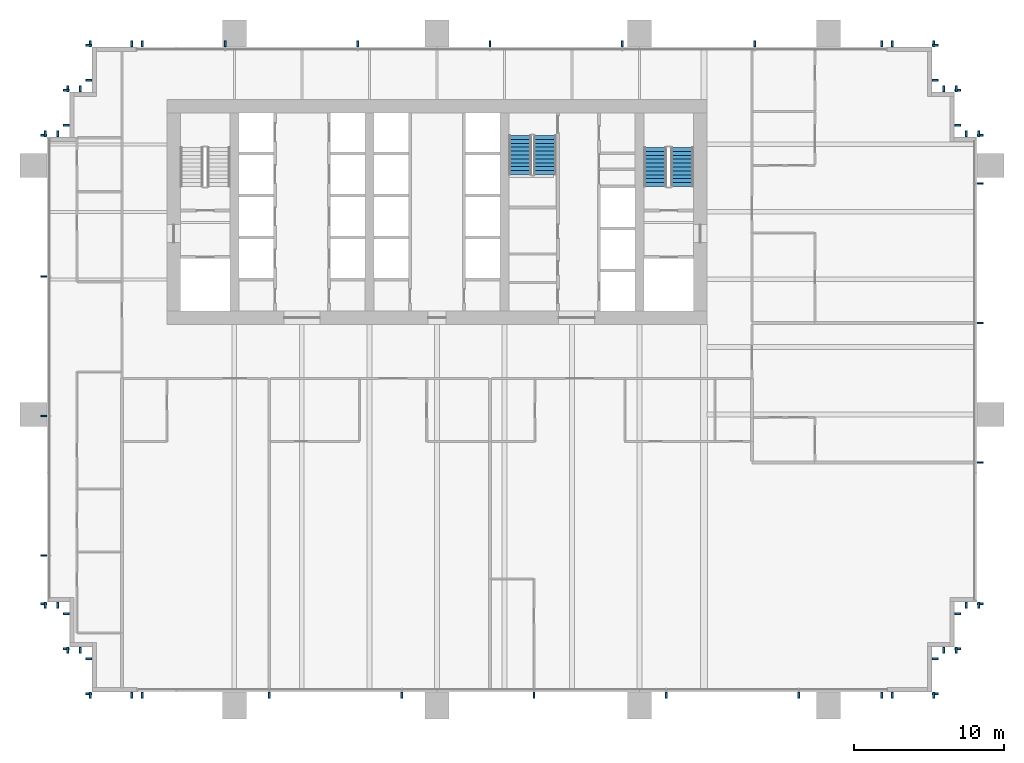
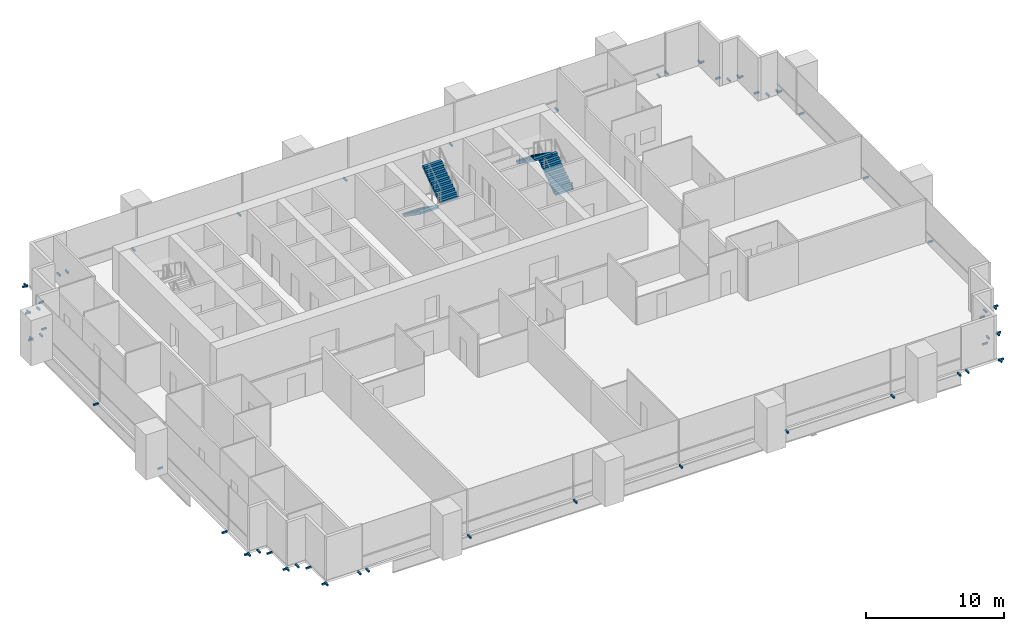
# One storey, part 16 of 17: 64 discrete accessories, 4 stair flights, 2 elements without a shape of their own.
"""IFC4 building model written with IfcOpenShell, lengths in metres."""

import ifcopenshell
import ifcopenshell.guid

model = None  # the IFC model being written
_history = None  # IfcOwnerHistory: only IFC2X3 demands one
_inside = {}  # id of a spatial element -> (the spatial element, [elements in it])
_under = {}  # id of a project, library or spatial element -> (it, [spatial elements below it])
_declared = {}  # id of a project -> (the project, [libraries it declares])
_typed = {}  # id of a type object -> (the type object, [elements of that type])
_made_of = {}  # id of a material, layer set ... -> (it, [elements and type objects made of it])


def new_model(schema):
    """Start an empty IFC model of exactly this schema.

    Asked for "IFC4X3", IfcOpenShell would pick the latest addendum, in which some entities
    have other attributes; the version numbers below select the first issue.
    IFC2X3 requires an IfcOwnerHistory on every rooted entity: one is made here for all.
    """
    global model, _history
    if schema == "IFC4X3":
        model = ifcopenshell.file(schema_version=(4, 3, 0, 0))
    else:
        model = ifcopenshell.file(schema=schema)
    _inside.clear()
    _under.clear()
    _declared.clear()
    _typed.clear()
    _made_of.clear()
    _history = None
    if model.schema == "IFC2X3":
        org = make("IfcOrganization", Name="unknown")
        user = make(
            "IfcPersonAndOrganization",
            ThePerson=make("IfcPerson", FamilyName="unknown"),
            TheOrganization=org,
        )
        app = make(
            "IfcApplication",
            ApplicationDeveloper=org,
            Version="unknown",
            ApplicationFullName="unknown",
            ApplicationIdentifier="unknown",
        )
        _history = make(
            "IfcOwnerHistory",
            OwningUser=user,
            OwningApplication=app,
            ChangeAction="ADDED",
            CreationDate=0,
        )
    return model


def make(cls, **values):
    """One entity of the class cls with the attributes given. An attribute that is None is left unset."""
    return model.create_entity(
        cls, **{name: value for name, value in values.items() if value is not None}
    )


def rooted(cls, **values):
    """An entity with a GlobalId (a new one), such as an element, a storey or a relation."""
    return make(cls, GlobalId=ifcopenshell.guid.new(), OwnerHistory=_history, **values)


def si_unit(unit_type, name, prefix=None):
    """IfcSIUnit, for example si_unit("LENGTHUNIT", "METRE", prefix="MILLI")."""
    return make("IfcSIUnit", UnitType=unit_type, Prefix=prefix, Name=name)


def assignment(units):
    """IfcUnitAssignment: the units of a project."""
    return None if units is None else make("IfcUnitAssignment", Units=units)


def point(xyz):
    """IfcCartesianPoint."""
    return None if xyz is None else make("IfcCartesianPoint", Coordinates=xyz)


def direction(xyz):
    """IfcDirection."""
    return None if xyz is None else make("IfcDirection", DirectionRatios=xyz)


def frame(location, z_axis=None, x_axis=None):
    """IfcAxis2Placement3D, a coordinate frame: its origin and axes. An axis left out is left unset."""
    return make(
        "IfcAxis2Placement3D",
        Location=point(location),
        Axis=direction(z_axis),
        RefDirection=direction(x_axis),
    )


def frame_2d(location, x_axis=None):
    """IfcAxis2Placement2D, a coordinate frame in the plane: its origin and x axis."""
    return make(
        "IfcAxis2Placement2D", Location=point(location), RefDirection=direction(x_axis)
    )


def origin():
    """The frame at (0, 0, 0) with its axes left unset."""
    return frame((0.0, 0.0, 0.0))


def origin_2d():
    """The frame at (0, 0) in the plane with its x axis left unset."""
    return frame_2d((0.0, 0.0))


def place(relative_to, where):
    """IfcLocalPlacement: puts the frame where relative to a parent placement (None: the world)."""
    return make(
        "IfcLocalPlacement", PlacementRelTo=relative_to, RelativePlacement=where
    )


def context(
    kind, dimensions, precision=None, world=None, true_north=None, identifier=None
):
    """IfcGeometricRepresentationContext, for example the 3D "Model" context."""
    return make(
        "IfcGeometricRepresentationContext",
        ContextIdentifier=identifier,
        ContextType=kind,
        CoordinateSpaceDimension=dimensions,
        Precision=precision,
        WorldCoordinateSystem=world,
        TrueNorth=true_north,
    )


def subcontext(parent, identifier, kind, view, scale=None):
    """IfcGeometricRepresentationSubContext, for example "Body" below "Model"."""
    return make(
        "IfcGeometricRepresentationSubContext",
        ContextIdentifier=identifier,
        ContextType=kind,
        ParentContext=parent,
        TargetScale=scale,
        TargetView=view,
    )


def project(units=None, contexts=None):
    """IfcProject with its units and contexts."""
    return rooted(
        "IfcProject",
        Name="project",
        RepresentationContexts=contexts,
        UnitsInContext=assignment(units),
    )


def spatial(cls, under=None, at=None, **own):
    """A site, building, storey or space (cls), placed at a placement, below another one or the project."""
    s = rooted(cls, ObjectPlacement=at, **own)
    if under is not None:
        _under.setdefault(under.id(), (under, []))[1].append(s)
    return s


def polyline(points):
    """IfcPolyline through the points."""
    return make("IfcPolyline", Points=[point(p) for p in points])


def profile(cls, at=None, kind="AREA", **sizes):
    """A parametric profile (cls). Its sizes go by their IFC names, for example OverallWidth=200.0."""
    return make(cls, ProfileType=kind, Position=at, **sizes)


def rectangle(**sizes):
    """IfcRectangleProfileDef."""
    return profile("IfcRectangleProfileDef", **sizes)


def outline(outer, holes=None, kind="AREA"):
    """IfcArbitraryClosedProfileDef: a profile drawn as a closed curve; with holes, ...WithVoids."""
    if holes is None:
        return make("IfcArbitraryClosedProfileDef", ProfileType=kind, OuterCurve=outer)
    return make(
        "IfcArbitraryProfileDefWithVoids",
        ProfileType=kind,
        OuterCurve=outer,
        InnerCurves=holes,
    )


def extrude(swept, where, along, depth):
    """IfcExtrudedAreaSolid: the profile swept, set in the frame where, extruded along a direction by depth."""
    return make(
        "IfcExtrudedAreaSolid",
        SweptArea=swept,
        Position=where,
        ExtrudedDirection=direction(along),
        Depth=depth,
    )


def shape(context_of_items, identifier, shape_type, items):
    """IfcShapeRepresentation: the items that make up one representation, for example the "Body"."""
    return make(
        "IfcShapeRepresentation",
        ContextOfItems=context_of_items,
        RepresentationIdentifier=identifier,
        RepresentationType=shape_type,
        Items=items,
    )


def material(Name=None, Category=None):
    """IfcMaterial."""
    return make("IfcMaterial", Name=Name, Category=Category)


def made_of(thing, what):
    """Note that an element or type object is made of a material, layer set ...; save() writes the relation."""
    if what is not None:
        _made_of.setdefault(what.id(), (what, []))[1].append(thing)
    return thing


def type_object(cls, material=None, **own):
    """A type object (cls), such as IfcWallType, which elements share."""
    return made_of(rooted(cls, **own), material)


def element(
    cls,
    number,
    at=None,
    inside=None,
    cuts=None,
    type_object=None,
    material=None,
    context=None,
    identifier="Body",
    shape_type=None,
    held_by="IfcProductDefinitionShape",
    body=None,
    shapes=None,
    **own,
):
    """One element of the class cls, such as IfcWall. Its Tag is "e" and its number.

    at: its placement. inside: the storey or other place that contains it. cuts: it is an
    opening in that element (IfcRelVoidsElement). A single representation is given by context,
    identifier, shape_type and body (its items); several are given by shapes. held_by: the class
    of the entity that holds the representations. save() writes the other relations.
    """
    e = rooted(cls, Tag="e%d" % number, ObjectPlacement=at, **own)
    if body is not None:
        shapes = [shape(context, identifier, shape_type, body)]
    if shapes is not None:
        e.Representation = make(held_by, Representations=shapes)
    if inside is not None:
        _inside.setdefault(inside.id(), (inside, []))[1].append(e)
    if cuts is not None:
        rooted(
            "IfcRelVoidsElement", RelatingBuildingElement=cuts, RelatedOpeningElement=e
        )
    if type_object is not None:
        _typed.setdefault(type_object.id(), (type_object, []))[1].append(e)
    return made_of(e, material)


def aggregate(whole, parts):
    """IfcRelAggregates: a whole, such as a stair, and the parts it consists of."""
    return rooted("IfcRelAggregates", RelatingObject=whole, RelatedObjects=parts)


def save(model, path):
    """Write the relations noted so far, then the file.

    IfcRelAggregates (storeys below a building ...), IfcRelContainedInSpatialStructure (elements
    in a storey), IfcRelDefinesByType, IfcRelAssociatesMaterial and IfcRelDeclares: one each for
    every whole, place, type object, material and project.
    """
    for whole, parts in _under.values():
        aggregate(whole, parts)
    for where, things in _inside.values():
        rooted(
            "IfcRelContainedInSpatialStructure",
            RelatedElements=things,
            RelatingStructure=where,
        )
    for kind, things in _typed.values():
        rooted("IfcRelDefinesByType", RelatedObjects=things, RelatingType=kind)
    for what, things in _made_of.values():
        rooted("IfcRelAssociatesMaterial", RelatedObjects=things, RelatingMaterial=what)
    for by, libraries in _declared.values():
        rooted("IfcRelDeclares", RelatingContext=by, RelatedDefinitions=libraries)
    model.write(path)


model = new_model("IFC4")

# Units and contexts
model_context = context("Model", 3, precision=1e-05, world=origin(), true_north=direction((0.0, 1.0)))
body_context = subcontext(model_context, "Body", "Model", "MODEL_VIEW")
ifc_project = project(units=[si_unit("LENGTHUNIT", "METRE"), si_unit("AREAUNIT", "SQUARE_METRE"), si_unit("VOLUMEUNIT", "CUBIC_METRE"), si_unit("PLANEANGLEUNIT", "RADIAN"), si_unit("MASSUNIT", "GRAM", prefix="KILO")], contexts=[model_context])

# Site, building, storey
site_placement = place(None, origin())
site = spatial("IfcSite", under=ifc_project, at=site_placement, CompositionType="ELEMENT")
building_placement = place(site_placement, origin())
building = spatial("IfcBuilding", under=site, at=building_placement, Name="Rattan Terrace Tower", CompositionType="ELEMENT")
storey_placement = place(building_placement, frame((0.0, 0.0, 83.699951171875)))
storey = spatial("IfcBuildingStorey", under=building, at=storey_placement, Name="L18", CompositionType="ELEMENT", Elevation=83.699951171875)

# Stair, stair flights
ifc_material_1 = material(Name="Concrete C40/50", Category="concrete")
stair_type = type_object("IfcStairType", Name="Core exit stair 1500", PredefinedType="HALF_TURN_STAIR", material=ifc_material_1)
stair_1_placement = place(storey_placement, origin())
stair_1 = element("IfcStair", 1, at=stair_1_placement, inside=storey, type_object=stair_type, Name="L18 exit stair 2", PredefinedType="HALF_TURN_STAIR")
ifc_material_2 = material(Name="Concrete C40/50", Category="concrete")
stair_flight_type = type_object("IfcStairFlightType", Name="Core exit stair flight 1500", PredefinedType="STRAIGHT", material=ifc_material_2)
stair_flight_1_placement = place(storey_placement, frame((16.35009765625, 1.699951171875, 0.0), z_axis=(0.0, 0.0, 1.0), x_axis=(0.0, 1.0, 0.0)))
stair_flight_1 = element("IfcStairFlight", 2, at=stair_flight_1_placement, type_object=stair_flight_type, Name="S2 flight 1", NumberOfRisers=11, NumberOfTreads=10, PredefinedType="STRAIGHT", RiserHeight=0.181818182, TreadLength=0.26, context=body_context, shape_type="SweptSolid", body=[
    extrude(outline(polyline([(0.0, 0.0), (0.0, 0.181884765625), (0.260009765625, 0.181884765625), (0.260009765625, 0.363525390625), (0.52001953125, 0.363525390625), (0.52001953125, 0.54541015625), (0.780029296875, 0.54541015625), (0.780029296875, 0.727294921875), (1.0400390625, 0.727294921875), (1.0400390625, 0.9091796875), (1.300048828125, 0.9091796875), (1.300048828125, 1.0908203125), (1.56005859375, 1.0908203125), (1.56005859375, 1.272705078125), (1.820068359375, 1.272705078125), (1.820068359375, 1.45458984375), (2.080078125, 1.45458984375), (2.080078125, 1.636474609375), (2.340087890625, 1.636474609375), (2.340087890625, 1.818115234375), (2.60009765625, 1.818115234375), (2.60009765625, 2.0), (2.60009765625, 1.63525390625), (0.261474609375, 0.0), (0.0, 0.0)])), frame((0.0, 0.75, 0.0), z_axis=(0.0, -1.0, 0.0), x_axis=(1.0, 0.0, 0.0)), (0.0, 0.0, 1.0), 1.5),
])
stair_flight_2_placement = place(storey_placement, frame((14.550048828125, 4.300048828125, 2.0), z_axis=(0.0, 0.0, 1.0), x_axis=(0.0, -1.0, 0.0)))
stair_flight_2 = element("IfcStairFlight", 3, at=stair_flight_2_placement, type_object=stair_flight_type, Name="S2 flight 2", NumberOfRisers=11, NumberOfTreads=10, PredefinedType="STRAIGHT", RiserHeight=0.181818182, TreadLength=0.26, context=body_context, shape_type="SweptSolid", body=[
    extrude(outline(polyline([(0.0, 0.0), (0.0, 0.181884765625), (0.260009765625, 0.181884765625), (0.260009765625, 0.363525390625), (0.52001953125, 0.363525390625), (0.52001953125, 0.54541015625), (0.780029296875, 0.54541015625), (0.780029296875, 0.727294921875), (1.0400390625, 0.727294921875), (1.0400390625, 0.9091796875), (1.300048828125, 0.9091796875), (1.300048828125, 1.0908203125), (1.56005859375, 1.0908203125), (1.56005859375, 1.272705078125), (1.820068359375, 1.272705078125), (1.820068359375, 1.45458984375), (2.080078125, 1.45458984375), (2.080078125, 1.636474609375), (2.340087890625, 1.636474609375), (2.340087890625, 1.818115234375), (2.60009765625, 1.818115234375), (2.60009765625, 2.0), (2.60009765625, 1.63525390625), (0.261474609375, 0.0), (0.0, 0.0)])), frame((0.0, 0.75, 0.0), z_axis=(0.0, -1.0, 0.0), x_axis=(1.0, 0.0, 0.0)), (0.0, 0.0, 1.0), 1.5),
])
aggregate(stair_1, [stair_flight_1, stair_flight_2])

stair_2_placement = place(storey_placement, origin())
stair_2 = element("IfcStair", 4, at=stair_2_placement, inside=storey, type_object=stair_type, Name="L18 exit stair 3", PredefinedType="HALF_TURN_STAIR")
stair_flight_3_placement = place(storey_placement, frame((5.550048828125, 5.10009765625, 0.0), z_axis=(0.0, 0.0, 1.0), x_axis=(0.0, -1.0, 0.0)))
stair_flight_3 = element("IfcStairFlight", 5, at=stair_flight_3_placement, type_object=stair_flight_type, Name="S3 flight 1", NumberOfRisers=11, NumberOfTreads=10, PredefinedType="STRAIGHT", RiserHeight=0.181818182, TreadLength=0.26, context=body_context, shape_type="SweptSolid", body=[
    extrude(outline(polyline([(0.0, 0.0), (0.0, 0.181884765625), (0.260009765625, 0.181884765625), (0.260009765625, 0.363525390625), (0.52001953125, 0.363525390625), (0.52001953125, 0.54541015625), (0.780029296875, 0.54541015625), (0.780029296875, 0.727294921875), (1.0400390625, 0.727294921875), (1.0400390625, 0.9091796875), (1.300048828125, 0.9091796875), (1.300048828125, 1.0908203125), (1.56005859375, 1.0908203125), (1.56005859375, 1.272705078125), (1.820068359375, 1.272705078125), (1.820068359375, 1.45458984375), (2.080078125, 1.45458984375), (2.080078125, 1.636474609375), (2.340087890625, 1.636474609375), (2.340087890625, 1.818115234375), (2.60009765625, 1.818115234375), (2.60009765625, 2.0), (2.60009765625, 1.63525390625), (0.261474609375, 0.0), (0.0, 0.0)])), frame((0.0, 0.75, 0.0), z_axis=(0.0, -1.0, 0.0), x_axis=(1.0, 0.0, 0.0)), (0.0, 0.0, 1.0), 1.5),
])
stair_flight_4_placement = place(storey_placement, frame((7.199951171875, 2.5, 2.0), z_axis=(0.0, 0.0, 1.0), x_axis=(0.0, 1.0, 0.0)))
stair_flight_4 = element("IfcStairFlight", 6, at=stair_flight_4_placement, type_object=stair_flight_type, Name="S3 flight 2", NumberOfRisers=11, NumberOfTreads=10, PredefinedType="STRAIGHT", RiserHeight=0.181818182, TreadLength=0.26, context=body_context, shape_type="SweptSolid", body=[
    extrude(outline(polyline([(0.0, 0.0), (0.0, 0.181884765625), (0.260009765625, 0.181884765625), (0.260009765625, 0.363525390625), (0.52001953125, 0.363525390625), (0.52001953125, 0.54541015625), (0.780029296875, 0.54541015625), (0.780029296875, 0.727294921875), (1.0400390625, 0.727294921875), (1.0400390625, 0.9091796875), (1.300048828125, 0.9091796875), (1.300048828125, 1.0908203125), (1.56005859375, 1.0908203125), (1.56005859375, 1.272705078125), (1.820068359375, 1.272705078125), (1.820068359375, 1.45458984375), (2.080078125, 1.45458984375), (2.080078125, 1.636474609375), (2.340087890625, 1.636474609375), (2.340087890625, 1.818115234375), (2.60009765625, 1.818115234375), (2.60009765625, 2.0), (2.60009765625, 1.63525390625), (0.261474609375, 0.0), (0.0, 0.0)])), frame((0.0, 0.75, 0.0), z_axis=(0.0, -1.0, 0.0), x_axis=(1.0, 0.0, 0.0)), (0.0, 0.0, 1.0), 1.5),
])
aggregate(stair_2, [stair_flight_3, stair_flight_4])

# Discrete accessories
for number, where, z_axis, x_axis, name in (
    (7, (30.340087890625, -32.2099609375, -0.169921875), (0.0, 0.0, 1.0), (1.0, 0.0, 0.0), "Panel bracket L18-1"),
    (8, (33.110107421875, -32.2099609375, -0.169921875), (0.0, 0.0, 1.0), (1.0, 0.0, 0.0), "Panel bracket L18-2"),
    (9, (33.2099609375, -32.110107421875, -0.169921875), (0.0, 0.0, 1.0), (0.0, 1.0, 0.0), "Panel bracket L18-3"),
    (10, (33.2099609375, -29.7900390625, -0.169921875), (0.0, 0.0, 1.0), (0.0, 1.0, 0.0), "Panel bracket L18-4"),
    (11, (33.7900390625, -29.2099609375, -0.169921875), (0.0, 0.0, 1.0), (1.0, 0.0, 0.0), "Panel bracket L18-5"),
    (12, (34.610107421875, -29.2099609375, -0.169921875), (0.0, 0.0, 1.0), (1.0, 0.0, 0.0), "Panel bracket L18-6"),
    (13, (34.7099609375, -29.110107421875, -0.169921875), (0.0, 0.0, 1.0), (0.0, 1.0, 0.0), "Panel bracket L18-7"),
    (14, (34.7099609375, -26.7900390625, -0.169921875), (0.0, 0.0, 1.0), (0.0, 1.0, 0.0), "Panel bracket L18-8"),
    (15, (35.2900390625, -26.2099609375, -0.169921875), (0.0, 0.0, 1.0), (1.0, 0.0, 0.0), "Panel bracket L18-9"),
    (16, (36.110107421875, -26.2099609375, -0.169921875), (0.0, 0.0, 1.0), (1.0, 0.0, 0.0), "Panel bracket L18-10"),
    (17, (36.2099609375, -26.110107421875, -0.169921875), (0.0, 0.0, 1.0), (0.0, 1.0, 0.0), "Panel bracket L18-11"),
    (18, (36.2099609375, -16.699951171875, -0.169921875), (0.0, 0.0, 1.0), (0.0, 1.0, 0.0), "Panel bracket L18-12"),
    (19, (36.2099609375, -7.39990234375, -0.169921875), (0.0, 0.0, 1.0), (0.0, 1.0, 0.0), "Panel bracket L18-13"),
    (20, (36.2099609375, 1.89990234375, -0.169921875), (0.0, 0.0, 1.0), (0.0, 1.0, 0.0), "Panel bracket L18-14"),
    (21, (36.2099609375, 5.110107421875, -0.169921875), (0.0, 0.0, 1.0), (0.0, 1.0, 0.0), "Panel bracket L18-15"),
    (22, (36.110107421875, 5.2099609375, -0.169921875), (0.0, 0.0, 1.0), (-1.0, 0.0, 0.0), "Panel bracket L18-16"),
    (23, (35.2900390625, 5.2099609375, -0.169921875), (0.0, 0.0, 1.0), (-1.0, 0.0, 0.0), "Panel bracket L18-17"),
    (24, (34.7099609375, 5.7900390625, -0.169921875), (0.0, 0.0, 1.0), (0.0, 1.0, 0.0), "Panel bracket L18-18"),
    (25, (34.7099609375, 8.110107421875, -0.169921875), (0.0, 0.0, 1.0), (0.0, 1.0, 0.0), "Panel bracket L18-19"),
    (26, (34.610107421875, 8.2099609375, -0.169921875), (0.0, 0.0, 1.0), (-1.0, 0.0, 0.0), "Panel bracket L18-20"),
    (27, (33.7900390625, 8.2099609375, -0.169921875), (0.0, 0.0, 1.0), (-1.0, 0.0, 0.0), "Panel bracket L18-21"),
    (28, (33.2099609375, 8.7900390625, -0.169921875), (0.0, 0.0, 1.0), (0.0, 1.0, 0.0), "Panel bracket L18-22"),
    (29, (33.2099609375, 11.110107421875, -0.169921875), (0.0, 0.0, 1.0), (0.0, 1.0, 0.0), "Panel bracket L18-23"),
    (30, (33.110107421875, 11.2099609375, -0.169921875), (0.0, 0.0, 1.0), (-1.0, 0.0, 0.0), "Panel bracket L18-24"),
    (31, (30.340087890625, 11.2099609375, -0.169921875), (0.0, 0.0, 1.0), (-1.0, 0.0, 0.0), "Panel bracket L18-25"),
    (32, (29.659912109375, 11.2099609375, -0.169921875), (0.0, 0.0, 1.0), (-1.0, 0.0, 0.0), "Panel bracket L18-26"),
    (33, (21.177001953125, 11.2099609375, -0.169921875), (0.0, 0.0, 1.0), (-1.0, 0.0, 0.0), "Panel bracket L18-27"),
    (34, (12.35400390625, 11.2099609375, -0.169921875), (0.0, 0.0, 1.0), (-1.0, 0.0, 0.0), "Panel bracket L18-28"),
    (35, (3.531005859375, 11.2099609375, -0.169921875), (0.0, 0.0, 1.0), (-1.0, 0.0, 0.0), "Panel bracket L18-29"),
    (36, (-5.2919921875, 11.2099609375, -0.169921875), (0.0, 0.0, 1.0), (-1.0, 0.0, 0.0), "Panel bracket L18-30"),
    (37, (-14.114990234375, 11.2099609375, -0.169921875), (0.0, 0.0, 1.0), (-1.0, 0.0, 0.0), "Panel bracket L18-31"),
    (38, (-19.659912109375, 11.2099609375, -0.169921875), (0.0, 0.0, 1.0), (-1.0, 0.0, 0.0), "Panel bracket L18-32"),
    (39, (-20.340087890625, 11.2099609375, -0.169921875), (0.0, 0.0, 1.0), (-1.0, 0.0, 0.0), "Panel bracket L18-33"),
    (40, (-23.110107421875, 11.2099609375, -0.169921875), (0.0, 0.0, 1.0), (-1.0, 0.0, 0.0), "Panel bracket L18-34"),
    (41, (-23.2099609375, 11.110107421875, -0.169921875), (0.0, 0.0, 1.0), (0.0, -1.0, 0.0), "Panel bracket L18-35"),
    (42, (-23.2099609375, 8.7900390625, -0.169921875), (0.0, 0.0, 1.0), (0.0, -1.0, 0.0), "Panel bracket L18-36"),
    (43, (-23.7900390625, 8.2099609375, -0.169921875), (0.0, 0.0, 1.0), (-1.0, 0.0, 0.0), "Panel bracket L18-37"),
    (44, (-24.610107421875, 8.2099609375, -0.169921875), (0.0, 0.0, 1.0), (-1.0, 0.0, 0.0), "Panel bracket L18-38"),
    (45, (-24.7099609375, 8.110107421875, -0.169921875), (0.0, 0.0, 1.0), (0.0, -1.0, 0.0), "Panel bracket L18-39"),
    (46, (-24.7099609375, 5.7900390625, -0.169921875), (0.0, 0.0, 1.0), (0.0, -1.0, 0.0), "Panel bracket L18-40"),
    (47, (-25.2900390625, 5.2099609375, -0.169921875), (0.0, 0.0, 1.0), (-1.0, 0.0, 0.0), "Panel bracket L18-41"),
    (48, (-26.110107421875, 5.2099609375, -0.169921875), (0.0, 0.0, 1.0), (-1.0, 0.0, 0.0), "Panel bracket L18-42"),
    (49, (-26.2099609375, 5.110107421875, -0.169921875), (0.0, 0.0, 1.0), (0.0, -1.0, 0.0), "Panel bracket L18-43"),
    (50, (-26.2099609375, -4.300048828125, -0.169921875), (0.0, 0.0, 1.0), (0.0, -1.0, 0.0), "Panel bracket L18-44"),
    (51, (-26.2099609375, -13.60009765625, -0.169921875), (0.0, 0.0, 1.0), (0.0, -1.0, 0.0), "Panel bracket L18-45"),
    (52, (-26.2099609375, -22.89990234375, -0.169921875), (0.0, 0.0, 1.0), (0.0, -1.0, 0.0), "Panel bracket L18-46"),
    (53, (-26.2099609375, -26.110107421875, -0.169921875), (0.0, 0.0, 1.0), (0.0, -1.0, 0.0), "Panel bracket L18-47"),
    (54, (-26.110107421875, -26.2099609375, -0.169921875), (0.0, 0.0, 1.0), (1.0, 0.0, 0.0), "Panel bracket L18-48"),
    (55, (-25.2900390625, -26.2099609375, -0.169921875), (0.0, 0.0, 1.0), (1.0, 0.0, 0.0), "Panel bracket L18-49"),
    (56, (-24.7099609375, -26.7900390625, -0.169921875), (0.0, 0.0, 1.0), (0.0, -1.0, 0.0), "Panel bracket L18-50"),
    (57, (-24.7099609375, -29.110107421875, -0.169921875), (0.0, 0.0, 1.0), (0.0, -1.0, 0.0), "Panel bracket L18-51"),
    (58, (-24.610107421875, -29.2099609375, -0.169921875), (0.0, 0.0, 1.0), (1.0, 0.0, 0.0), "Panel bracket L18-52"),
    (59, (-23.7900390625, -29.2099609375, -0.169921875), (0.0, 0.0, 1.0), (1.0, 0.0, 0.0), "Panel bracket L18-53"),
    (60, (-23.2099609375, -29.7900390625, -0.169921875), (0.0, 0.0, 1.0), (0.0, -1.0, 0.0), "Panel bracket L18-54"),
    (61, (-23.2099609375, -32.110107421875, -0.169921875), (0.0, 0.0, 1.0), (0.0, -1.0, 0.0), "Panel bracket L18-55"),
    (62, (-23.110107421875, -32.2099609375, -0.169921875), (0.0, 0.0, 1.0), (1.0, 0.0, 0.0), "Panel bracket L18-56"),
    (63, (-20.340087890625, -32.2099609375, -0.169921875), (0.0, 0.0, 1.0), (1.0, 0.0, 0.0), "Panel bracket L18-57"),
    (64, (-19.659912109375, -32.2099609375, -0.169921875), (0.0, 0.0, 1.0), (1.0, 0.0, 0.0), "Panel bracket L18-58"),
    (65, (-11.177001953125, -32.2099609375, -0.169921875), (0.0, 0.0, 1.0), (1.0, 0.0, 0.0), "Panel bracket L18-59"),
    (66, (-2.35400390625, -32.2099609375, -0.169921875), (0.0, 0.0, 1.0), (1.0, 0.0, 0.0), "Panel bracket L18-60"),
    (67, (6.468994140625, -32.2099609375, -0.169921875), (0.0, 0.0, 1.0), (1.0, 0.0, 0.0), "Panel bracket L18-61"),
    (68, (15.2919921875, -32.2099609375, -0.169921875), (0.0, 0.0, 1.0), (1.0, 0.0, 0.0), "Panel bracket L18-62"),
    (69, (24.114990234375, -32.2099609375, -0.169921875), (0.0, 0.0, 1.0), (1.0, 0.0, 0.0), "Panel bracket L18-63"),
    (70, (29.659912109375, -32.2099609375, -0.169921875), (0.0, 0.0, 1.0), (1.0, 0.0, 0.0), "Panel bracket L18-64"),
):
    element("IfcDiscreteAccessory", number, at=place(storey_placement, frame(where, z_axis=z_axis, x_axis=x_axis)), inside=storey, Name=name, PredefinedType="BRACKET", context=body_context, shape_type="SweptSolid", body=[
        extrude(rectangle(XDim=0.1201171875, YDim=0.419921875, at=origin_2d()), origin(), (0.0, 0.0, 1.0), 0.139892578125),
    ])

save(model, "model.ifc")
